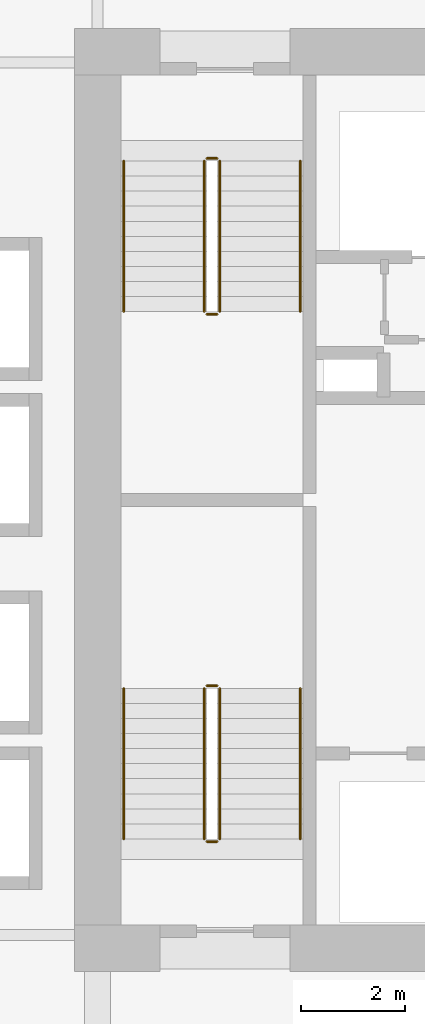
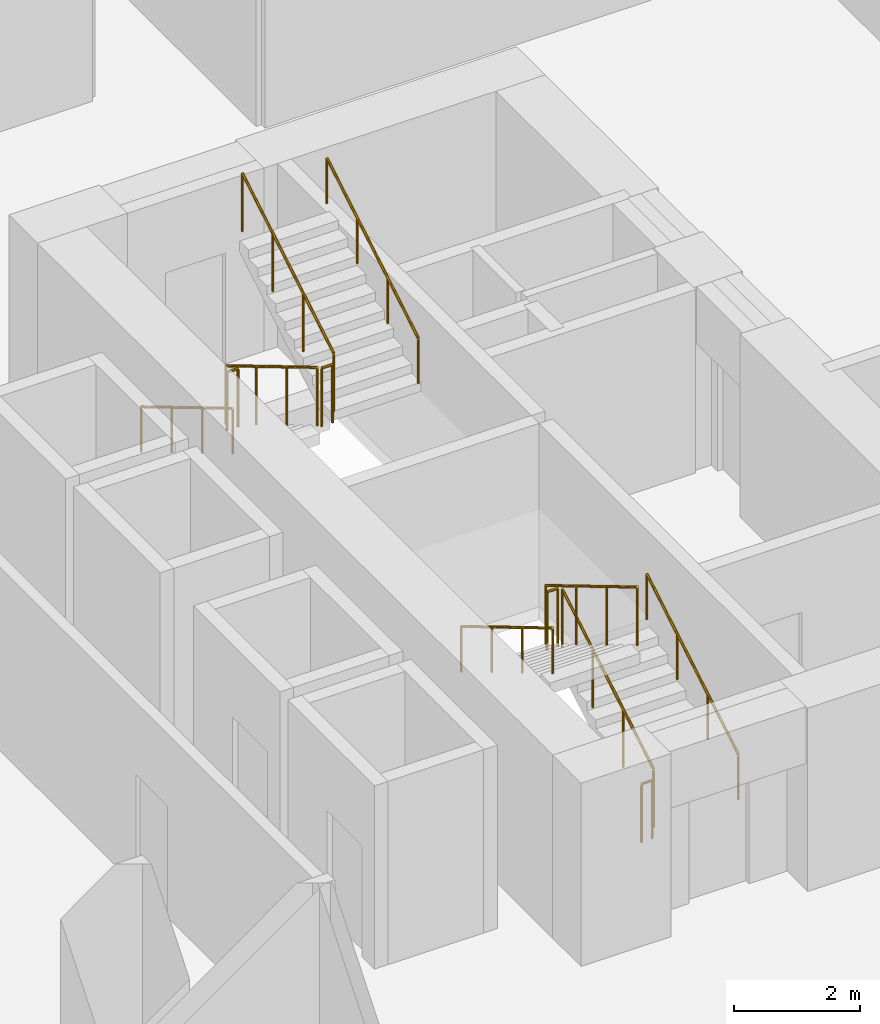
# One storey, part 26 of 27: 12 railings.
"""IFC4 building model written with IfcOpenShell, lengths in metres."""

from ifc_helpers import new_model, si_unit, direction, frame, origin, origin_2d, place, context, subcontext, project, spatial, circle, extrude, material, type_object, element, save


model = new_model("IFC4")

# Units and contexts
model_context = context("Model", 3, precision=1e-05, world=origin(), true_north=direction((0.0, 1.0)))
body_context = subcontext(model_context, "Body", "Model", "MODEL_VIEW")
ifc_project = project(units=[si_unit("LENGTHUNIT", "METRE"), si_unit("AREAUNIT", "SQUARE_METRE"), si_unit("VOLUMEUNIT", "CUBIC_METRE"), si_unit("PLANEANGLEUNIT", "RADIAN"), si_unit("MASSUNIT", "GRAM", prefix="KILO")], contexts=[model_context])

# Site, building, storey
site_placement = place(None, origin())
site = spatial("IfcSite", under=ifc_project, at=site_placement, CompositionType="ELEMENT")
building_placement = place(site_placement, origin())
building = spatial("IfcBuilding", under=site, at=building_placement, Name="Koriwani Terraces Tower", CompositionType="ELEMENT")
storey_placement = place(building_placement, frame((0.0, 0.0, 70.0)))
storey = spatial("IfcBuildingStorey", under=building, at=storey_placement, Name="L16", CompositionType="ELEMENT", Elevation=70.0)

# Railings
ifc_material = material(Name="Steel ASTM A572 Grade 50", Category="steel")
railing_type_1 = type_object("IfcRailingType", Name="GUARD_STAIR_WELL_1120", PredefinedType="GUARDRAIL", material=ifc_material)
railing_1_placement = place(storey_placement, frame((19.14990234375, 43.85009765625, 0.172607421875)))
element("IfcRailing", 1, at=railing_1_placement, inside=storey, type_object=railing_type_1, Name="L16 ST-W1 stair guard 1", PredefinedType="GUARDRAIL", context=body_context, shape_type="SweptSolid", body=[
    extrude(circle(Radius=0.02392578125, at=origin_2d()), frame((0.0, 0.0, 1.1259765625), z_axis=(0.0, 0.859141464434, 0.511738159696), x_axis=(-1.0, 0.0, 0.0)), (0.0, 0.0, 1.0), 3.375244140625),
    extrude(circle(Radius=0.02099609375, at=origin_2d()), origin(), (0.0, 0.0, 1.0), 1.101806640625),
    extrude(circle(Radius=0.02099609375, at=origin_2d()), frame((0.0, 0.966552734375, 0.57568359375)), (0.0, 0.0, 1.0), 1.101806640625),
    extrude(circle(Radius=0.02099609375, at=origin_2d()), frame((0.0, 1.933349609375, 1.151611328125)), (0.0, 0.0, 1.0), 1.101806640625),
    extrude(circle(Radius=0.02099609375, at=origin_2d()), frame((0.0, 2.89990234375, 1.727294921875)), (0.0, 0.0, 1.0), 1.101806640625),
])
railing_2_placement = place(storey_placement, frame((19.10009765625, 46.800048828125, 1.89990234375)))
element("IfcRailing", 2, at=railing_2_placement, inside=storey, type_object=railing_type_1, Name="L16 ST-W1 stair guard 2", PredefinedType="GUARDRAIL", context=body_context, shape_type="SweptSolid", body=[
    extrude(circle(Radius=0.02392578125, at=origin_2d()), frame((0.0, 0.0, 1.1259765625), z_axis=(-1.0, 0.0, 0.0), x_axis=(0.0, -1.0, 0.0)), (0.0, 0.0, 1.0), 0.2001953125),
    extrude(circle(Radius=0.02099609375, at=origin_2d()), origin(), (0.0, 0.0, 1.0), 1.101806640625),
    extrude(circle(Radius=0.02099609375, at=origin_2d()), frame((-0.2001953125, 0.0, 0.0)), (0.0, 0.0, 1.0), 1.101806640625),
])
railing_3_placement = place(storey_placement, frame((18.85009765625, 46.75, 2.07275390625)))
element("IfcRailing", 3, at=railing_3_placement, inside=storey, type_object=railing_type_1, Name="L16 ST-W1 stair guard 3", PredefinedType="GUARDRAIL", context=body_context, shape_type="SweptSolid", body=[
    extrude(circle(Radius=0.02392578125, at=origin_2d()), frame((0.0, 0.0, 1.1259765625), z_axis=(0.0, -0.859141464434, 0.511738159696), x_axis=(1.0, 0.0, 0.0)), (0.0, 0.0, 1.0), 3.375244140625),
    extrude(circle(Radius=0.02099609375, at=origin_2d()), origin(), (0.0, 0.0, 1.0), 1.101806640625),
    extrude(circle(Radius=0.02099609375, at=origin_2d()), frame((0.0, -0.966552734375, 0.57568359375)), (0.0, 0.0, 1.0), 1.101806640625),
    extrude(circle(Radius=0.02099609375, at=origin_2d()), frame((0.0, -1.933349609375, 1.151611328125)), (0.0, 0.0, 1.0), 1.101806640625),
    extrude(circle(Radius=0.02099609375, at=origin_2d()), frame((0.0, -2.89990234375, 1.727294921875)), (0.0, 0.0, 1.0), 1.101806640625),
])
railing_4_placement = place(storey_placement, frame((19.10009765625, 43.800048828125, 0.0)))
element("IfcRailing", 4, at=railing_4_placement, inside=storey, type_object=railing_type_1, Name="L16 ST-W1 stair guard 4", PredefinedType="GUARDRAIL", context=body_context, shape_type="SweptSolid", body=[
    extrude(circle(Radius=0.02392578125, at=origin_2d()), frame((0.0, 0.0, 1.1259765625), z_axis=(-1.0, 0.0, 0.0), x_axis=(0.0, -1.0, 0.0)), (0.0, 0.0, 1.0), 0.2001953125),
    extrude(circle(Radius=0.02099609375, at=origin_2d()), origin(), (0.0, 0.0, 1.0), 1.101806640625),
    extrude(circle(Radius=0.02099609375, at=origin_2d()), frame((-0.2001953125, 0.0, 0.0)), (0.0, 0.0, 1.0), 1.101806640625),
])
railing_5_placement = place(storey_placement, frame((18.85009765625, 56.89990234375, 0.172607421875)))
element("IfcRailing", 5, at=railing_5_placement, inside=storey, type_object=railing_type_1, Name="L16 ST-W2 stair guard 1", PredefinedType="GUARDRAIL", context=body_context, shape_type="SweptSolid", body=[
    extrude(circle(Radius=0.02392578125, at=origin_2d()), frame((0.0, 0.0, 1.1259765625), z_axis=(0.0, -0.859141464434, 0.511738159696), x_axis=(1.0, 0.0, 0.0)), (0.0, 0.0, 1.0), 3.375244140625),
    extrude(circle(Radius=0.02099609375, at=origin_2d()), origin(), (0.0, 0.0, 1.0), 1.101806640625),
    extrude(circle(Radius=0.02099609375, at=origin_2d()), frame((0.0, -0.966552734375, 0.57568359375)), (0.0, 0.0, 1.0), 1.101806640625),
    extrude(circle(Radius=0.02099609375, at=origin_2d()), frame((0.0, -1.933349609375, 1.151611328125)), (0.0, 0.0, 1.0), 1.101806640625),
    extrude(circle(Radius=0.02099609375, at=origin_2d()), frame((0.0, -2.89990234375, 1.727294921875)), (0.0, 0.0, 1.0), 1.101806640625),
])
railing_6_placement = place(storey_placement, frame((18.89990234375, 53.949951171875, 1.89990234375)))
element("IfcRailing", 6, at=railing_6_placement, inside=storey, type_object=railing_type_1, Name="L16 ST-W2 stair guard 2", PredefinedType="GUARDRAIL", context=body_context, shape_type="SweptSolid", body=[
    extrude(circle(Radius=0.02392578125, at=origin_2d()), frame((0.0, 0.0, 1.1259765625), z_axis=(1.0, 0.0, 0.0), x_axis=(0.0, 1.0, 0.0)), (0.0, 0.0, 1.0), 0.2001953125),
    extrude(circle(Radius=0.02099609375, at=origin_2d()), origin(), (0.0, 0.0, 1.0), 1.101806640625),
    extrude(circle(Radius=0.02099609375, at=origin_2d()), frame((0.2001953125, 0.0, 0.0)), (0.0, 0.0, 1.0), 1.101806640625),
])
railing_7_placement = place(storey_placement, frame((19.14990234375, 54.0, 2.07275390625)))
element("IfcRailing", 7, at=railing_7_placement, inside=storey, type_object=railing_type_1, Name="L16 ST-W2 stair guard 3", PredefinedType="GUARDRAIL", context=body_context, shape_type="SweptSolid", body=[
    extrude(circle(Radius=0.02392578125, at=origin_2d()), frame((0.0, 0.0, 1.1259765625), z_axis=(0.0, 0.859141464434, 0.511738159696), x_axis=(-1.0, 0.0, 0.0)), (0.0, 0.0, 1.0), 3.375244140625),
    extrude(circle(Radius=0.02099609375, at=origin_2d()), origin(), (0.0, 0.0, 1.0), 1.101806640625),
    extrude(circle(Radius=0.02099609375, at=origin_2d()), frame((0.0, 0.966552734375, 0.57568359375)), (0.0, 0.0, 1.0), 1.101806640625),
    extrude(circle(Radius=0.02099609375, at=origin_2d()), frame((0.0, 1.933349609375, 1.151611328125)), (0.0, 0.0, 1.0), 1.101806640625),
    extrude(circle(Radius=0.02099609375, at=origin_2d()), frame((0.0, 2.89990234375, 1.727294921875)), (0.0, 0.0, 1.0), 1.101806640625),
])
railing_8_placement = place(storey_placement, frame((18.89990234375, 56.949951171875, 0.0)))
element("IfcRailing", 8, at=railing_8_placement, inside=storey, type_object=railing_type_1, Name="L16 ST-W2 stair guard 4", PredefinedType="GUARDRAIL", context=body_context, shape_type="SweptSolid", body=[
    extrude(circle(Radius=0.02392578125, at=origin_2d()), frame((0.0, 0.0, 1.1259765625), z_axis=(1.0, 0.0, 0.0), x_axis=(0.0, 1.0, 0.0)), (0.0, 0.0, 1.0), 0.2001953125),
    extrude(circle(Radius=0.02099609375, at=origin_2d()), origin(), (0.0, 0.0, 1.0), 1.101806640625),
    extrude(circle(Radius=0.02099609375, at=origin_2d()), frame((0.2001953125, 0.0, 0.0)), (0.0, 0.0, 1.0), 1.101806640625),
])
railing_type_2 = type_object("IfcRailingType", Name="HANDRAIL_STAIR_920", PredefinedType="HANDRAIL", material=ifc_material)
railing_9_placement = place(storey_placement, frame((20.699951171875, 43.85009765625, 0.172607421875)))
element("IfcRailing", 9, at=railing_9_placement, inside=storey, type_object=railing_type_2, Name="L16 ST-W1 stair handrail 1", PredefinedType="HANDRAIL", context=body_context, shape_type="SweptSolid", body=[
    extrude(circle(Radius=0.02392578125, at=origin_2d()), frame((0.0, 0.0, 0.8759765625), z_axis=(0.0, 0.859141464434, 0.511738159696), x_axis=(-1.0, 0.0, 0.0)), (0.0, 0.0, 1.0), 3.375244140625),
    extrude(circle(Radius=0.02099609375, at=origin_2d()), origin(), (0.0, 0.0, 1.0), 0.851806640625),
    extrude(circle(Radius=0.02099609375, at=origin_2d()), frame((0.0, 0.966552734375, 0.57568359375)), (0.0, 0.0, 1.0), 0.851806640625),
    extrude(circle(Radius=0.02099609375, at=origin_2d()), frame((0.0, 1.933349609375, 1.151611328125)), (0.0, 0.0, 1.0), 0.851806640625),
    extrude(circle(Radius=0.02099609375, at=origin_2d()), frame((0.0, 2.89990234375, 1.727294921875)), (0.0, 0.0, 1.0), 0.851806640625),
])
for number, where, name in (
    (10, (17.300048828125, 46.75, 2.07275390625), "L16 ST-W1 stair handrail 2"),
    (11, (17.300048828125, 56.89990234375, 0.172607421875), "L16 ST-W2 stair handrail 1"),
):
    element("IfcRailing", number, at=place(storey_placement, frame(where)), inside=storey, type_object=railing_type_2, Name=name, PredefinedType="HANDRAIL", context=body_context, shape_type="SweptSolid", body=[
        extrude(circle(Radius=0.02392578125, at=origin_2d()), frame((0.0, 0.0, 0.8759765625), z_axis=(0.0, -0.859141464434, 0.511738159696), x_axis=(1.0, 0.0, 0.0)), (0.0, 0.0, 1.0), 3.375244140625),
        extrude(circle(Radius=0.02099609375, at=origin_2d()), origin(), (0.0, 0.0, 1.0), 0.851806640625),
        extrude(circle(Radius=0.02099609375, at=origin_2d()), frame((0.0, -0.966552734375, 0.57568359375)), (0.0, 0.0, 1.0), 0.851806640625),
        extrude(circle(Radius=0.02099609375, at=origin_2d()), frame((0.0, -1.933349609375, 1.151611328125)), (0.0, 0.0, 1.0), 0.851806640625),
        extrude(circle(Radius=0.02099609375, at=origin_2d()), frame((0.0, -2.89990234375, 1.727294921875)), (0.0, 0.0, 1.0), 0.851806640625),
    ])
railing_10_placement = place(storey_placement, frame((20.699951171875, 54.0, 2.07275390625)))
element("IfcRailing", 12, at=railing_10_placement, inside=storey, type_object=railing_type_2, Name="L16 ST-W2 stair handrail 2", PredefinedType="HANDRAIL", context=body_context, shape_type="SweptSolid", body=[
    extrude(circle(Radius=0.02392578125, at=origin_2d()), frame((0.0, 0.0, 0.8759765625), z_axis=(0.0, 0.859141464434, 0.511738159696), x_axis=(-1.0, 0.0, 0.0)), (0.0, 0.0, 1.0), 3.375244140625),
    extrude(circle(Radius=0.02099609375, at=origin_2d()), origin(), (0.0, 0.0, 1.0), 0.851806640625),
    extrude(circle(Radius=0.02099609375, at=origin_2d()), frame((0.0, 0.966552734375, 0.57568359375)), (0.0, 0.0, 1.0), 0.851806640625),
    extrude(circle(Radius=0.02099609375, at=origin_2d()), frame((0.0, 1.933349609375, 1.151611328125)), (0.0, 0.0, 1.0), 0.851806640625),
    extrude(circle(Radius=0.02099609375, at=origin_2d()), frame((0.0, 2.89990234375, 1.727294921875)), (0.0, 0.0, 1.0), 0.851806640625),
])

save(model, "model.ifc")
